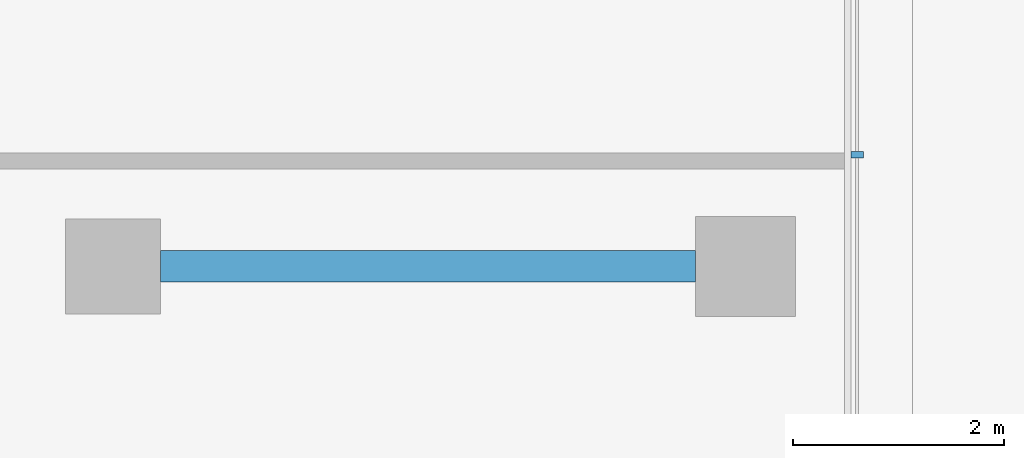
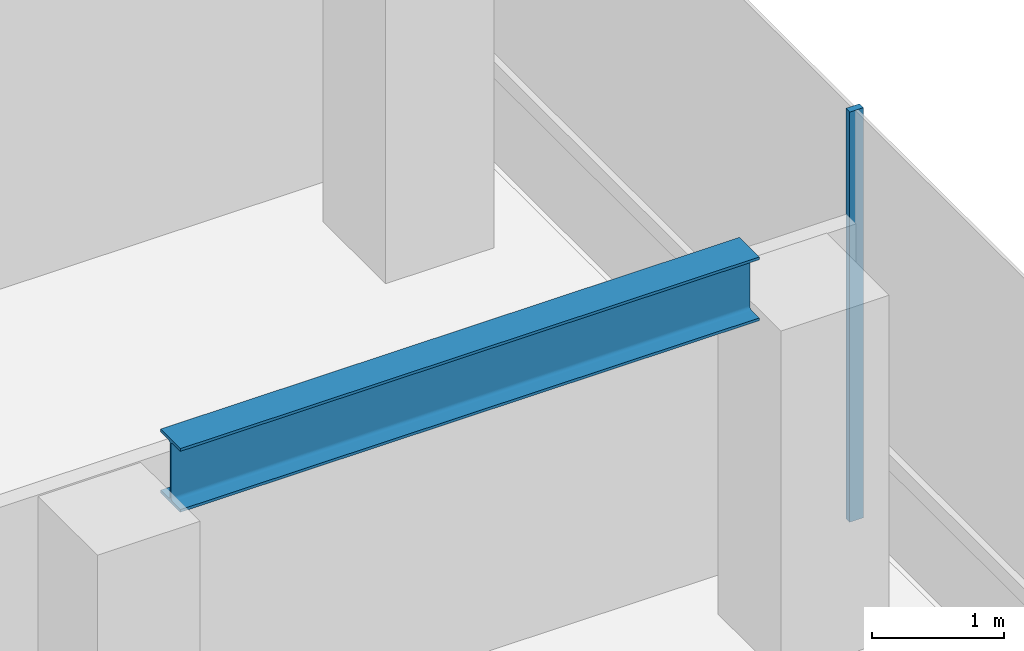
# One storey, part 13 of 22: 1 beam, 1 member, 1 element without a shape of its own.
"""IFC4 building model written with IfcOpenShell, lengths in metres."""

from ifc_helpers import new_model, si_unit, direction, frame, origin, origin_2d, place, context, subcontext, project, spatial, rectangle, i_section, extrude, material, layer, layer_set, material_profile, profile_set, type_object, element, aggregate, save


model = new_model("IFC4")

# Units and contexts
model_context = context("Model", 3, precision=1e-05, world=origin(), true_north=direction((0.0, 1.0)))
body_context = subcontext(model_context, "Body", "Model", "MODEL_VIEW")
ifc_project = project(units=[si_unit("LENGTHUNIT", "METRE"), si_unit("AREAUNIT", "SQUARE_METRE"), si_unit("VOLUMEUNIT", "CUBIC_METRE"), si_unit("PLANEANGLEUNIT", "RADIAN"), si_unit("MASSUNIT", "GRAM", prefix="KILO")], contexts=[model_context])

# Site, building, storey
site_placement = place(None, origin())
site = spatial("IfcSite", under=ifc_project, at=site_placement, CompositionType="ELEMENT")
building_placement = place(site_placement, origin())
building = spatial("IfcBuilding", under=site, at=building_placement, Name="Welwitschia Terrace Campus", CompositionType="ELEMENT")
storey_placement = place(building_placement, frame((0.0, 0.0, 192.800048828125)))
storey = spatial("IfcBuildingStorey", under=building, at=storey_placement, Name="L43", CompositionType="ELEMENT", Elevation=192.800048828125)

# Curtain wall, member
ifc_material_1 = material(Name="Bronze anodised aluminium", Category="aluminium")
ifc_layer = layer(ifc_material_1, 0.1201171875)
ifc_layer_set = layer_set([ifc_layer], Name="Bronze anodised aluminium")
curtain_wall_type = type_object("IfcCurtainWallType", Name="Curtain wall CW2 tower 6000", PredefinedType="NOTDEFINED", material=ifc_layer_set)
curtain_wall_placement = place(storey_placement, origin())
curtain_wall = element("IfcCurtainWall", 1, at=curtain_wall_placement, inside=storey, type_object=curtain_wall_type, Name="CW L43.10.0", PredefinedType="NOTDEFINED")
ifc_material_2 = material(Name="Bronze anodised aluminium", Category="aluminium")
ifc_material_profile_1 = material_profile(ifc_material_2, rectangle(XDim=0.1201171875, YDim=0.06005859375, at=origin_2d()))
ifc_profile_set_1 = profile_set([ifc_material_profile_1], Name="Bronze anodised aluminium")
member_type = type_object("IfcMemberType", Name="Mullion 60x120", PredefinedType="MULLION", material=ifc_profile_set_1)
member_placement = place(storey_placement, frame((25.05810546875, 45.059814453125, 0.0), z_axis=(0.0, 0.0, 1.0), x_axis=(-1.0, 0.0, 0.0)))
member = element("IfcMember", 2, at=member_placement, type_object=member_type, Name="Mullion L43.10.0.3", PredefinedType="MULLION", context=body_context, shape_type="SweptSolid", body=[
    extrude(rectangle(XDim=0.1201171875, YDim=0.06005859375, at=origin_2d()), origin(), (0.0, 0.0, 1.0), 3.800048828125),
])
aggregate(curtain_wall, [member])

# Beam
ifc_material_3 = material(Name="Steel S355", Category="steel")
ifc_material_profile_2 = material_profile(ifc_material_3, i_section(OverallWidth=0.300048828125, OverallDepth=0.590087890625, WebThickness=0.012939453125, FlangeThickness=0.02490234375, FilletRadius=0.027099609375, at=origin_2d()))
ifc_profile_set_2 = profile_set([ifc_material_profile_2], Name="Steel S355")
beam_type = type_object("IfcBeamType", Name="Primary beam HE 600 A", PredefinedType="BEAM", material=ifc_profile_set_2)
beam_placement = place(storey_placement, frame((23.5244140625, 44.0, 3.39501953125), z_axis=(-1.0, 0.0, 0.0), x_axis=(0.0, -1.0, 0.0)))
element("IfcBeam", 3, at=beam_placement, inside=storey, type_object=beam_type, Name="Primary beam PB4", PredefinedType="BEAM", context=body_context, shape_type="SweptSolid", body=[
    extrude(i_section(OverallWidth=0.300048828125, OverallDepth=0.590087890625, WebThickness=0.012939453125, FlangeThickness=0.02490234375, FilletRadius=0.027099609375, at=origin_2d()), origin(), (0.0, 0.0, 1.0), 5.073974609375),
])

save(model, "model.ifc")
